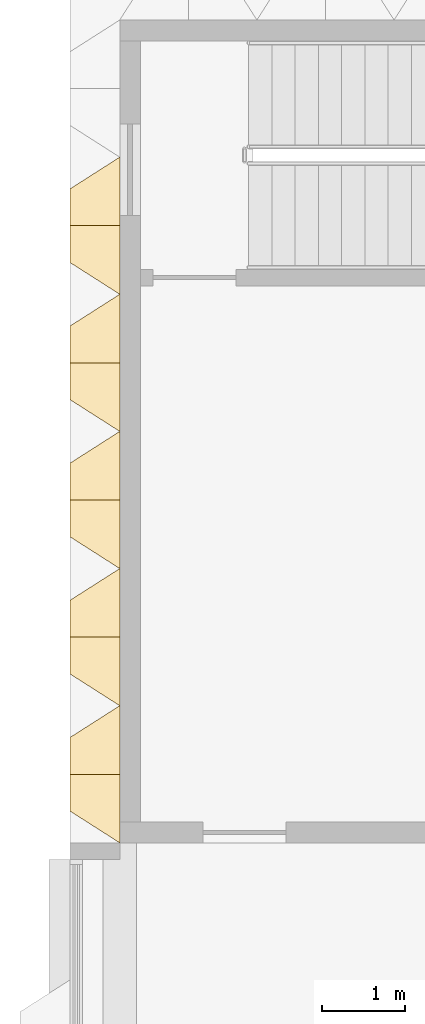
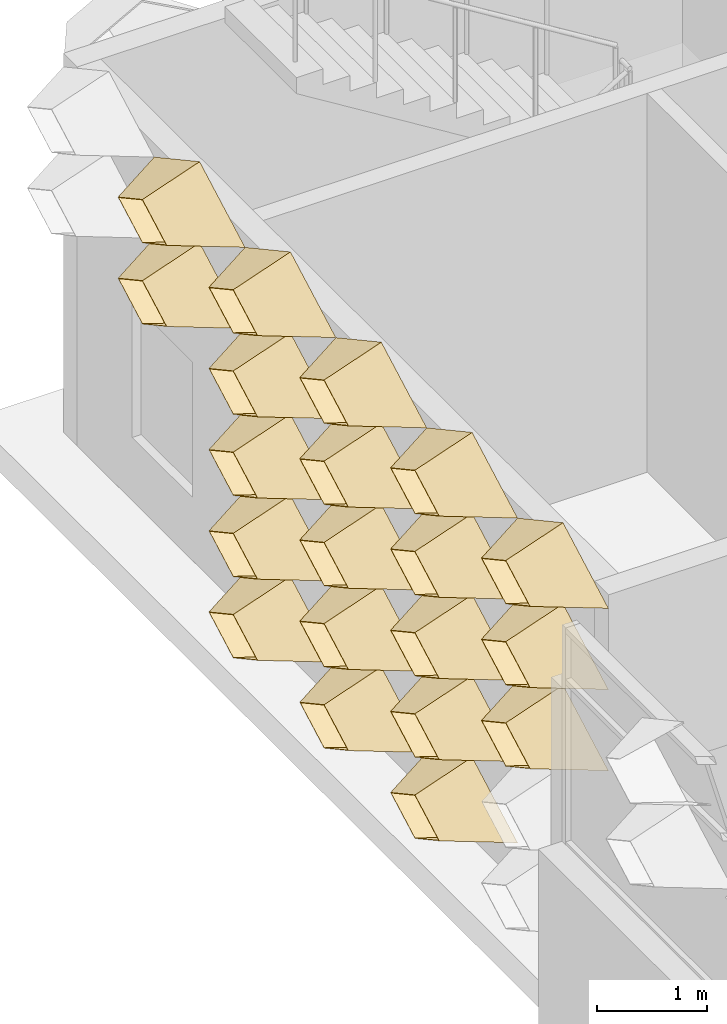
# One storey, part 59 of 102: 20 coverings.
"""IFC4 building model written with IfcOpenShell, lengths in metres."""

from ifc_helpers import new_model, entity, si_unit, direction, frame, origin, place, context, subcontext, project, spatial, material, layer, layer_set, type_object, element, save


model = new_model("IFC4")

# Units and contexts
model_context = context("Model", 3, precision=1e-05, world=origin(), true_north=direction((0.0, 1.0)))
body_context = subcontext(model_context, "Body", "Model", "MODEL_VIEW")
ifc_project = project(units=[si_unit("LENGTHUNIT", "METRE"), si_unit("AREAUNIT", "SQUARE_METRE"), si_unit("VOLUMEUNIT", "CUBIC_METRE"), si_unit("PLANEANGLEUNIT", "RADIAN"), si_unit("MASSUNIT", "GRAM", prefix="KILO")], contexts=[model_context])

# Site, building, storey
site_placement = place(None, origin())
site = spatial("IfcSite", under=ifc_project, at=site_placement, CompositionType="ELEMENT")
building_placement = place(site_placement, origin())
building = spatial("IfcBuilding", under=site, at=building_placement, Name="Lantern Court Research Institute", CompositionType="ELEMENT")
storey_placement = place(building_placement, frame((0.0, 0.0, 9.89990234375)))
storey = spatial("IfcBuildingStorey", under=building, at=storey_placement, Name="L02", CompositionType="ELEMENT", Elevation=9.89990234375)

# Coverings
ifc_material = material(Name="Anodised aluminium", Category="aluminium")
ifc_layer = layer(ifc_material, 0.01611328125)
ifc_layer_set = layer_set([ifc_layer], Name="Anodised aluminium")
covering_type = type_object("IfcCoveringType", Name="Fin cassette 1650 x 900 x 600 aluminium", PredefinedType="CLADDING", material=ifc_layer_set)
covering_1_placement = place(storey_placement, frame((0.0, 15.675048828125, 0.4501953125), z_axis=(-1.0, 0.0, 0.0), x_axis=(0.0, -1.0, 0.0)))
cartesian_point_1 = entity("IfcCartesianPoint", [0.824951171875, 0.0])
cartesian_point_2 = entity("IfcCartesianPoint", [0.79150390625, 0.0])
cartesian_point_3 = entity("IfcCartesianPoint", [0.44189453125, 0.0])
cartesian_point_4 = entity("IfcCartesianPoint", [0.43359375, 0.0])
element("IfcCovering", 1, at=covering_1_placement, inside=storey, type_object=covering_type, Name="Fin cassette V4W-L02 1.10", PredefinedType="CLADDING", context=body_context, shape_type="SweptSolid", body=[
    entity("IfcExtrudedAreaSolidTapered", entity("IfcArbitraryProfileDefWithVoids", "AREA", None, entity("IfcPolyline", [cartesian_point_1, entity("IfcCartesianPoint", [0.0, 0.449951171875]), entity("IfcCartesianPoint", [-0.824951171875, 0.0]), entity("IfcCartesianPoint", [0.0, -0.449951171875]), cartesian_point_1]), [entity("IfcPolyline", [cartesian_point_2, entity("IfcCartesianPoint", [0.0, 0.431884765625]), entity("IfcCartesianPoint", [-0.79150390625, 0.0]), entity("IfcCartesianPoint", [0.0, -0.431884765625]), cartesian_point_2])]), entity("IfcAxis2Placement3D", entity("IfcCartesianPoint", [0.0, 0.0, 0.0])), entity("IfcDirection", [0.0, 0.0, 1.0]), 0.60009765625, entity("IfcArbitraryProfileDefWithVoids", "AREA", None, entity("IfcPolyline", [cartesian_point_3, entity("IfcCartesianPoint", [0.0, 0.240966796875]), entity("IfcCartesianPoint", [-0.44189453125, 0.0]), entity("IfcCartesianPoint", [0.0, -0.240966796875]), cartesian_point_3]), [entity("IfcPolyline", [cartesian_point_4, entity("IfcCartesianPoint", [0.0, 0.236572265625]), entity("IfcCartesianPoint", [-0.43359375, 0.0]), entity("IfcCartesianPoint", [0.0, -0.236572265625]), cartesian_point_4])])),
])
covering_2_placement = place(storey_placement, frame((0.0, 17.324951171875, 0.4501953125), z_axis=(-1.0, 0.0, 0.0), x_axis=(0.0, -1.0, 0.0)))
cartesian_point_5 = entity("IfcCartesianPoint", [0.824951171875, 0.0])
cartesian_point_6 = entity("IfcCartesianPoint", [0.79150390625, 0.0])
cartesian_point_7 = entity("IfcCartesianPoint", [0.44189453125, 0.0])
cartesian_point_8 = entity("IfcCartesianPoint", [0.43359375, 0.0])
element("IfcCovering", 2, at=covering_2_placement, inside=storey, type_object=covering_type, Name="Fin cassette V4W-L02 1.11", PredefinedType="CLADDING", context=body_context, shape_type="SweptSolid", body=[
    entity("IfcExtrudedAreaSolidTapered", entity("IfcArbitraryProfileDefWithVoids", "AREA", None, entity("IfcPolyline", [cartesian_point_5, entity("IfcCartesianPoint", [0.0, 0.449951171875]), entity("IfcCartesianPoint", [-0.824951171875, 0.0]), entity("IfcCartesianPoint", [0.0, -0.449951171875]), cartesian_point_5]), [entity("IfcPolyline", [cartesian_point_6, entity("IfcCartesianPoint", [0.0, 0.431884765625]), entity("IfcCartesianPoint", [-0.79150390625, 0.0]), entity("IfcCartesianPoint", [0.0, -0.431884765625]), cartesian_point_6])]), entity("IfcAxis2Placement3D", entity("IfcCartesianPoint", [0.0, 0.0, 0.0])), entity("IfcDirection", [0.0, 0.0, 1.0]), 0.60009765625, entity("IfcArbitraryProfileDefWithVoids", "AREA", None, entity("IfcPolyline", [cartesian_point_7, entity("IfcCartesianPoint", [0.0, 0.240966796875]), entity("IfcCartesianPoint", [-0.44189453125, 0.0]), entity("IfcCartesianPoint", [0.0, -0.240966796875]), cartesian_point_7]), [entity("IfcPolyline", [cartesian_point_8, entity("IfcCartesianPoint", [0.0, 0.236572265625]), entity("IfcCartesianPoint", [-0.43359375, 0.0]), entity("IfcCartesianPoint", [0.0, -0.236572265625]), cartesian_point_8])])),
])
covering_3_placement = place(storey_placement, frame((0.0, 18.97509765625, 0.4501953125), z_axis=(-1.0, 0.0, 0.0), x_axis=(0.0, -1.0, 0.0)))
cartesian_point_9 = entity("IfcCartesianPoint", [0.824951171875, 0.0])
cartesian_point_10 = entity("IfcCartesianPoint", [0.79150390625, 0.0])
cartesian_point_11 = entity("IfcCartesianPoint", [0.44189453125, 0.0])
cartesian_point_12 = entity("IfcCartesianPoint", [0.43359375, 0.0])
element("IfcCovering", 3, at=covering_3_placement, inside=storey, type_object=covering_type, Name="Fin cassette V4W-L02 1.12", PredefinedType="CLADDING", context=body_context, shape_type="SweptSolid", body=[
    entity("IfcExtrudedAreaSolidTapered", entity("IfcArbitraryProfileDefWithVoids", "AREA", None, entity("IfcPolyline", [cartesian_point_9, entity("IfcCartesianPoint", [0.0, 0.449951171875]), entity("IfcCartesianPoint", [-0.824951171875, 0.0]), entity("IfcCartesianPoint", [0.0, -0.449951171875]), cartesian_point_9]), [entity("IfcPolyline", [cartesian_point_10, entity("IfcCartesianPoint", [0.0, 0.431884765625]), entity("IfcCartesianPoint", [-0.79150390625, 0.0]), entity("IfcCartesianPoint", [0.0, -0.431884765625]), cartesian_point_10])]), entity("IfcAxis2Placement3D", entity("IfcCartesianPoint", [0.0, 0.0, 0.0])), entity("IfcDirection", [0.0, 0.0, 1.0]), 0.60009765625, entity("IfcArbitraryProfileDefWithVoids", "AREA", None, entity("IfcPolyline", [cartesian_point_11, entity("IfcCartesianPoint", [0.0, 0.240966796875]), entity("IfcCartesianPoint", [-0.44189453125, 0.0]), entity("IfcCartesianPoint", [0.0, -0.240966796875]), cartesian_point_11]), [entity("IfcPolyline", [cartesian_point_12, entity("IfcCartesianPoint", [0.0, 0.236572265625]), entity("IfcCartesianPoint", [-0.43359375, 0.0]), entity("IfcCartesianPoint", [0.0, -0.236572265625]), cartesian_point_12])])),
])
covering_4_placement = place(storey_placement, frame((0.0, 15.675048828125, 1.35009765625), z_axis=(-1.0, 0.0, 0.0), x_axis=(0.0, -1.0, 0.0)))
cartesian_point_13 = entity("IfcCartesianPoint", [0.824951171875, 0.0])
cartesian_point_14 = entity("IfcCartesianPoint", [0.79150390625, 0.0])
cartesian_point_15 = entity("IfcCartesianPoint", [0.44189453125, 0.0])
cartesian_point_16 = entity("IfcCartesianPoint", [0.43359375, 0.0])
element("IfcCovering", 4, at=covering_4_placement, inside=storey, type_object=covering_type, Name="Fin cassette V4W-L02 2.10", PredefinedType="CLADDING", context=body_context, shape_type="SweptSolid", body=[
    entity("IfcExtrudedAreaSolidTapered", entity("IfcArbitraryProfileDefWithVoids", "AREA", None, entity("IfcPolyline", [cartesian_point_13, entity("IfcCartesianPoint", [0.0, 0.449951171875]), entity("IfcCartesianPoint", [-0.824951171875, 0.0]), entity("IfcCartesianPoint", [0.0, -0.449951171875]), cartesian_point_13]), [entity("IfcPolyline", [cartesian_point_14, entity("IfcCartesianPoint", [0.0, 0.431884765625]), entity("IfcCartesianPoint", [-0.79150390625, 0.0]), entity("IfcCartesianPoint", [0.0, -0.431884765625]), cartesian_point_14])]), entity("IfcAxis2Placement3D", entity("IfcCartesianPoint", [0.0, 0.0, 0.0])), entity("IfcDirection", [0.0, 0.0, 1.0]), 0.60009765625, entity("IfcArbitraryProfileDefWithVoids", "AREA", None, entity("IfcPolyline", [cartesian_point_15, entity("IfcCartesianPoint", [0.0, 0.240966796875]), entity("IfcCartesianPoint", [-0.44189453125, 0.0]), entity("IfcCartesianPoint", [0.0, -0.240966796875]), cartesian_point_15]), [entity("IfcPolyline", [cartesian_point_16, entity("IfcCartesianPoint", [0.0, 0.236572265625]), entity("IfcCartesianPoint", [-0.43359375, 0.0]), entity("IfcCartesianPoint", [0.0, -0.236572265625]), cartesian_point_16])])),
])
covering_5_placement = place(storey_placement, frame((0.0, 17.324951171875, 1.35009765625), z_axis=(-1.0, 0.0, 0.0), x_axis=(0.0, -1.0, 0.0)))
cartesian_point_17 = entity("IfcCartesianPoint", [0.824951171875, 0.0])
cartesian_point_18 = entity("IfcCartesianPoint", [0.79150390625, 0.0])
cartesian_point_19 = entity("IfcCartesianPoint", [0.44189453125, 0.0])
cartesian_point_20 = entity("IfcCartesianPoint", [0.43359375, 0.0])
element("IfcCovering", 5, at=covering_5_placement, inside=storey, type_object=covering_type, Name="Fin cassette V4W-L02 2.11", PredefinedType="CLADDING", context=body_context, shape_type="SweptSolid", body=[
    entity("IfcExtrudedAreaSolidTapered", entity("IfcArbitraryProfileDefWithVoids", "AREA", None, entity("IfcPolyline", [cartesian_point_17, entity("IfcCartesianPoint", [0.0, 0.449951171875]), entity("IfcCartesianPoint", [-0.824951171875, 0.0]), entity("IfcCartesianPoint", [0.0, -0.449951171875]), cartesian_point_17]), [entity("IfcPolyline", [cartesian_point_18, entity("IfcCartesianPoint", [0.0, 0.431884765625]), entity("IfcCartesianPoint", [-0.79150390625, 0.0]), entity("IfcCartesianPoint", [0.0, -0.431884765625]), cartesian_point_18])]), entity("IfcAxis2Placement3D", entity("IfcCartesianPoint", [0.0, 0.0, 0.0])), entity("IfcDirection", [0.0, 0.0, 1.0]), 0.60009765625, entity("IfcArbitraryProfileDefWithVoids", "AREA", None, entity("IfcPolyline", [cartesian_point_19, entity("IfcCartesianPoint", [0.0, 0.240966796875]), entity("IfcCartesianPoint", [-0.44189453125, 0.0]), entity("IfcCartesianPoint", [0.0, -0.240966796875]), cartesian_point_19]), [entity("IfcPolyline", [cartesian_point_20, entity("IfcCartesianPoint", [0.0, 0.236572265625]), entity("IfcCartesianPoint", [-0.43359375, 0.0]), entity("IfcCartesianPoint", [0.0, -0.236572265625]), cartesian_point_20])])),
])
covering_6_placement = place(storey_placement, frame((0.0, 18.97509765625, 1.35009765625), z_axis=(-1.0, 0.0, 0.0), x_axis=(0.0, -1.0, 0.0)))
cartesian_point_21 = entity("IfcCartesianPoint", [0.824951171875, 0.0])
cartesian_point_22 = entity("IfcCartesianPoint", [0.79150390625, 0.0])
cartesian_point_23 = entity("IfcCartesianPoint", [0.44189453125, 0.0])
cartesian_point_24 = entity("IfcCartesianPoint", [0.43359375, 0.0])
element("IfcCovering", 6, at=covering_6_placement, inside=storey, type_object=covering_type, Name="Fin cassette V4W-L02 2.12", PredefinedType="CLADDING", context=body_context, shape_type="SweptSolid", body=[
    entity("IfcExtrudedAreaSolidTapered", entity("IfcArbitraryProfileDefWithVoids", "AREA", None, entity("IfcPolyline", [cartesian_point_21, entity("IfcCartesianPoint", [0.0, 0.449951171875]), entity("IfcCartesianPoint", [-0.824951171875, 0.0]), entity("IfcCartesianPoint", [0.0, -0.449951171875]), cartesian_point_21]), [entity("IfcPolyline", [cartesian_point_22, entity("IfcCartesianPoint", [0.0, 0.431884765625]), entity("IfcCartesianPoint", [-0.79150390625, 0.0]), entity("IfcCartesianPoint", [0.0, -0.431884765625]), cartesian_point_22])]), entity("IfcAxis2Placement3D", entity("IfcCartesianPoint", [0.0, 0.0, 0.0])), entity("IfcDirection", [0.0, 0.0, 1.0]), 0.60009765625, entity("IfcArbitraryProfileDefWithVoids", "AREA", None, entity("IfcPolyline", [cartesian_point_23, entity("IfcCartesianPoint", [0.0, 0.240966796875]), entity("IfcCartesianPoint", [-0.44189453125, 0.0]), entity("IfcCartesianPoint", [0.0, -0.240966796875]), cartesian_point_23]), [entity("IfcPolyline", [cartesian_point_24, entity("IfcCartesianPoint", [0.0, 0.236572265625]), entity("IfcCartesianPoint", [-0.43359375, 0.0]), entity("IfcCartesianPoint", [0.0, -0.236572265625]), cartesian_point_24])])),
])
covering_7_placement = place(storey_placement, frame((0.0, 14.02490234375, 2.25), z_axis=(-1.0, 0.0, 0.0), x_axis=(0.0, -1.0, 0.0)))
cartesian_point_25 = entity("IfcCartesianPoint", [0.824951171875, 0.0])
cartesian_point_26 = entity("IfcCartesianPoint", [0.79150390625, 0.0])
cartesian_point_27 = entity("IfcCartesianPoint", [0.44189453125, 0.0])
cartesian_point_28 = entity("IfcCartesianPoint", [0.43359375, 0.0])
element("IfcCovering", 7, at=covering_7_placement, inside=storey, type_object=covering_type, Name="Fin cassette V4W-L02 3.9", PredefinedType="CLADDING", context=body_context, shape_type="SweptSolid", body=[
    entity("IfcExtrudedAreaSolidTapered", entity("IfcArbitraryProfileDefWithVoids", "AREA", None, entity("IfcPolyline", [cartesian_point_25, entity("IfcCartesianPoint", [0.0, 0.449951171875]), entity("IfcCartesianPoint", [-0.824951171875, 0.0]), entity("IfcCartesianPoint", [0.0, -0.449951171875]), cartesian_point_25]), [entity("IfcPolyline", [cartesian_point_26, entity("IfcCartesianPoint", [0.0, 0.431884765625]), entity("IfcCartesianPoint", [-0.79150390625, 0.0]), entity("IfcCartesianPoint", [0.0, -0.431884765625]), cartesian_point_26])]), entity("IfcAxis2Placement3D", entity("IfcCartesianPoint", [0.0, 0.0, 0.0])), entity("IfcDirection", [0.0, 0.0, 1.0]), 0.60009765625, entity("IfcArbitraryProfileDefWithVoids", "AREA", None, entity("IfcPolyline", [cartesian_point_27, entity("IfcCartesianPoint", [0.0, 0.240966796875]), entity("IfcCartesianPoint", [-0.44189453125, 0.0]), entity("IfcCartesianPoint", [0.0, -0.240966796875]), cartesian_point_27]), [entity("IfcPolyline", [cartesian_point_28, entity("IfcCartesianPoint", [0.0, 0.236572265625]), entity("IfcCartesianPoint", [-0.43359375, 0.0]), entity("IfcCartesianPoint", [0.0, -0.236572265625]), cartesian_point_28])])),
])
covering_8_placement = place(storey_placement, frame((0.0, 15.675048828125, 2.25), z_axis=(-1.0, 0.0, 0.0), x_axis=(0.0, -1.0, 0.0)))
cartesian_point_29 = entity("IfcCartesianPoint", [0.824951171875, 0.0])
cartesian_point_30 = entity("IfcCartesianPoint", [0.79150390625, 0.0])
cartesian_point_31 = entity("IfcCartesianPoint", [0.44189453125, 0.0])
cartesian_point_32 = entity("IfcCartesianPoint", [0.43359375, 0.0])
element("IfcCovering", 8, at=covering_8_placement, inside=storey, type_object=covering_type, Name="Fin cassette V4W-L02 3.10", PredefinedType="CLADDING", context=body_context, shape_type="SweptSolid", body=[
    entity("IfcExtrudedAreaSolidTapered", entity("IfcArbitraryProfileDefWithVoids", "AREA", None, entity("IfcPolyline", [cartesian_point_29, entity("IfcCartesianPoint", [0.0, 0.449951171875]), entity("IfcCartesianPoint", [-0.824951171875, 0.0]), entity("IfcCartesianPoint", [0.0, -0.449951171875]), cartesian_point_29]), [entity("IfcPolyline", [cartesian_point_30, entity("IfcCartesianPoint", [0.0, 0.431884765625]), entity("IfcCartesianPoint", [-0.79150390625, 0.0]), entity("IfcCartesianPoint", [0.0, -0.431884765625]), cartesian_point_30])]), entity("IfcAxis2Placement3D", entity("IfcCartesianPoint", [0.0, 0.0, 0.0])), entity("IfcDirection", [0.0, 0.0, 1.0]), 0.60009765625, entity("IfcArbitraryProfileDefWithVoids", "AREA", None, entity("IfcPolyline", [cartesian_point_31, entity("IfcCartesianPoint", [0.0, 0.240966796875]), entity("IfcCartesianPoint", [-0.44189453125, 0.0]), entity("IfcCartesianPoint", [0.0, -0.240966796875]), cartesian_point_31]), [entity("IfcPolyline", [cartesian_point_32, entity("IfcCartesianPoint", [0.0, 0.236572265625]), entity("IfcCartesianPoint", [-0.43359375, 0.0]), entity("IfcCartesianPoint", [0.0, -0.236572265625]), cartesian_point_32])])),
])
covering_9_placement = place(storey_placement, frame((0.0, 17.324951171875, 2.25), z_axis=(-1.0, 0.0, 0.0), x_axis=(0.0, -1.0, 0.0)))
cartesian_point_33 = entity("IfcCartesianPoint", [0.824951171875, 0.0])
cartesian_point_34 = entity("IfcCartesianPoint", [0.79150390625, 0.0])
cartesian_point_35 = entity("IfcCartesianPoint", [0.44189453125, 0.0])
cartesian_point_36 = entity("IfcCartesianPoint", [0.43359375, 0.0])
element("IfcCovering", 9, at=covering_9_placement, inside=storey, type_object=covering_type, Name="Fin cassette V4W-L02 3.11", PredefinedType="CLADDING", context=body_context, shape_type="SweptSolid", body=[
    entity("IfcExtrudedAreaSolidTapered", entity("IfcArbitraryProfileDefWithVoids", "AREA", None, entity("IfcPolyline", [cartesian_point_33, entity("IfcCartesianPoint", [0.0, 0.449951171875]), entity("IfcCartesianPoint", [-0.824951171875, 0.0]), entity("IfcCartesianPoint", [0.0, -0.449951171875]), cartesian_point_33]), [entity("IfcPolyline", [cartesian_point_34, entity("IfcCartesianPoint", [0.0, 0.431884765625]), entity("IfcCartesianPoint", [-0.79150390625, 0.0]), entity("IfcCartesianPoint", [0.0, -0.431884765625]), cartesian_point_34])]), entity("IfcAxis2Placement3D", entity("IfcCartesianPoint", [0.0, 0.0, 0.0])), entity("IfcDirection", [0.0, 0.0, 1.0]), 0.60009765625, entity("IfcArbitraryProfileDefWithVoids", "AREA", None, entity("IfcPolyline", [cartesian_point_35, entity("IfcCartesianPoint", [0.0, 0.240966796875]), entity("IfcCartesianPoint", [-0.44189453125, 0.0]), entity("IfcCartesianPoint", [0.0, -0.240966796875]), cartesian_point_35]), [entity("IfcPolyline", [cartesian_point_36, entity("IfcCartesianPoint", [0.0, 0.236572265625]), entity("IfcCartesianPoint", [-0.43359375, 0.0]), entity("IfcCartesianPoint", [0.0, -0.236572265625]), cartesian_point_36])])),
])
covering_10_placement = place(storey_placement, frame((0.0, 18.97509765625, 2.25), z_axis=(-1.0, 0.0, 0.0), x_axis=(0.0, -1.0, 0.0)))
cartesian_point_37 = entity("IfcCartesianPoint", [0.824951171875, 0.0])
cartesian_point_38 = entity("IfcCartesianPoint", [0.79150390625, 0.0])
cartesian_point_39 = entity("IfcCartesianPoint", [0.44189453125, 0.0])
cartesian_point_40 = entity("IfcCartesianPoint", [0.43359375, 0.0])
element("IfcCovering", 10, at=covering_10_placement, inside=storey, type_object=covering_type, Name="Fin cassette V4W-L02 3.12", PredefinedType="CLADDING", context=body_context, shape_type="SweptSolid", body=[
    entity("IfcExtrudedAreaSolidTapered", entity("IfcArbitraryProfileDefWithVoids", "AREA", None, entity("IfcPolyline", [cartesian_point_37, entity("IfcCartesianPoint", [0.0, 0.449951171875]), entity("IfcCartesianPoint", [-0.824951171875, 0.0]), entity("IfcCartesianPoint", [0.0, -0.449951171875]), cartesian_point_37]), [entity("IfcPolyline", [cartesian_point_38, entity("IfcCartesianPoint", [0.0, 0.431884765625]), entity("IfcCartesianPoint", [-0.79150390625, 0.0]), entity("IfcCartesianPoint", [0.0, -0.431884765625]), cartesian_point_38])]), entity("IfcAxis2Placement3D", entity("IfcCartesianPoint", [0.0, 0.0, 0.0])), entity("IfcDirection", [0.0, 0.0, 1.0]), 0.60009765625, entity("IfcArbitraryProfileDefWithVoids", "AREA", None, entity("IfcPolyline", [cartesian_point_39, entity("IfcCartesianPoint", [0.0, 0.240966796875]), entity("IfcCartesianPoint", [-0.44189453125, 0.0]), entity("IfcCartesianPoint", [0.0, -0.240966796875]), cartesian_point_39]), [entity("IfcPolyline", [cartesian_point_40, entity("IfcCartesianPoint", [0.0, 0.236572265625]), entity("IfcCartesianPoint", [-0.43359375, 0.0]), entity("IfcCartesianPoint", [0.0, -0.236572265625]), cartesian_point_40])])),
])
covering_11_placement = place(storey_placement, frame((0.0, 14.02490234375, 3.150146484375), z_axis=(-1.0, 0.0, 0.0), x_axis=(0.0, -1.0, 0.0)))
cartesian_point_41 = entity("IfcCartesianPoint", [0.824951171875, 0.0])
cartesian_point_42 = entity("IfcCartesianPoint", [0.79150390625, 0.0])
cartesian_point_43 = entity("IfcCartesianPoint", [0.44189453125, 0.0])
cartesian_point_44 = entity("IfcCartesianPoint", [0.43359375, 0.0])
element("IfcCovering", 11, at=covering_11_placement, inside=storey, type_object=covering_type, Name="Fin cassette V4W-L02 4.9", PredefinedType="CLADDING", context=body_context, shape_type="SweptSolid", body=[
    entity("IfcExtrudedAreaSolidTapered", entity("IfcArbitraryProfileDefWithVoids", "AREA", None, entity("IfcPolyline", [cartesian_point_41, entity("IfcCartesianPoint", [0.0, 0.449951171875]), entity("IfcCartesianPoint", [-0.824951171875, 0.0]), entity("IfcCartesianPoint", [0.0, -0.449951171875]), cartesian_point_41]), [entity("IfcPolyline", [cartesian_point_42, entity("IfcCartesianPoint", [0.0, 0.431884765625]), entity("IfcCartesianPoint", [-0.79150390625, 0.0]), entity("IfcCartesianPoint", [0.0, -0.431884765625]), cartesian_point_42])]), entity("IfcAxis2Placement3D", entity("IfcCartesianPoint", [0.0, 0.0, 0.0])), entity("IfcDirection", [0.0, 0.0, 1.0]), 0.60009765625, entity("IfcArbitraryProfileDefWithVoids", "AREA", None, entity("IfcPolyline", [cartesian_point_43, entity("IfcCartesianPoint", [0.0, 0.240966796875]), entity("IfcCartesianPoint", [-0.44189453125, 0.0]), entity("IfcCartesianPoint", [0.0, -0.240966796875]), cartesian_point_43]), [entity("IfcPolyline", [cartesian_point_44, entity("IfcCartesianPoint", [0.0, 0.236572265625]), entity("IfcCartesianPoint", [-0.43359375, 0.0]), entity("IfcCartesianPoint", [0.0, -0.236572265625]), cartesian_point_44])])),
])
covering_12_placement = place(storey_placement, frame((0.0, 15.675048828125, 3.150146484375), z_axis=(-1.0, 0.0, 0.0), x_axis=(0.0, -1.0, 0.0)))
cartesian_point_45 = entity("IfcCartesianPoint", [0.824951171875, 0.0])
cartesian_point_46 = entity("IfcCartesianPoint", [0.79150390625, 0.0])
cartesian_point_47 = entity("IfcCartesianPoint", [0.44189453125, 0.0])
cartesian_point_48 = entity("IfcCartesianPoint", [0.43359375, 0.0])
element("IfcCovering", 12, at=covering_12_placement, inside=storey, type_object=covering_type, Name="Fin cassette V4W-L02 4.10", PredefinedType="CLADDING", context=body_context, shape_type="SweptSolid", body=[
    entity("IfcExtrudedAreaSolidTapered", entity("IfcArbitraryProfileDefWithVoids", "AREA", None, entity("IfcPolyline", [cartesian_point_45, entity("IfcCartesianPoint", [0.0, 0.449951171875]), entity("IfcCartesianPoint", [-0.824951171875, 0.0]), entity("IfcCartesianPoint", [0.0, -0.449951171875]), cartesian_point_45]), [entity("IfcPolyline", [cartesian_point_46, entity("IfcCartesianPoint", [0.0, 0.431884765625]), entity("IfcCartesianPoint", [-0.79150390625, 0.0]), entity("IfcCartesianPoint", [0.0, -0.431884765625]), cartesian_point_46])]), entity("IfcAxis2Placement3D", entity("IfcCartesianPoint", [0.0, 0.0, 0.0])), entity("IfcDirection", [0.0, 0.0, 1.0]), 0.60009765625, entity("IfcArbitraryProfileDefWithVoids", "AREA", None, entity("IfcPolyline", [cartesian_point_47, entity("IfcCartesianPoint", [0.0, 0.240966796875]), entity("IfcCartesianPoint", [-0.44189453125, 0.0]), entity("IfcCartesianPoint", [0.0, -0.240966796875]), cartesian_point_47]), [entity("IfcPolyline", [cartesian_point_48, entity("IfcCartesianPoint", [0.0, 0.236572265625]), entity("IfcCartesianPoint", [-0.43359375, 0.0]), entity("IfcCartesianPoint", [0.0, -0.236572265625]), cartesian_point_48])])),
])
covering_13_placement = place(storey_placement, frame((0.0, 17.324951171875, 3.150146484375), z_axis=(-1.0, 0.0, 0.0), x_axis=(0.0, -1.0, 0.0)))
cartesian_point_49 = entity("IfcCartesianPoint", [0.824951171875, 0.0])
cartesian_point_50 = entity("IfcCartesianPoint", [0.79150390625, 0.0])
cartesian_point_51 = entity("IfcCartesianPoint", [0.44189453125, 0.0])
cartesian_point_52 = entity("IfcCartesianPoint", [0.43359375, 0.0])
element("IfcCovering", 13, at=covering_13_placement, inside=storey, type_object=covering_type, Name="Fin cassette V4W-L02 4.11", PredefinedType="CLADDING", context=body_context, shape_type="SweptSolid", body=[
    entity("IfcExtrudedAreaSolidTapered", entity("IfcArbitraryProfileDefWithVoids", "AREA", None, entity("IfcPolyline", [cartesian_point_49, entity("IfcCartesianPoint", [0.0, 0.449951171875]), entity("IfcCartesianPoint", [-0.824951171875, 0.0]), entity("IfcCartesianPoint", [0.0, -0.449951171875]), cartesian_point_49]), [entity("IfcPolyline", [cartesian_point_50, entity("IfcCartesianPoint", [0.0, 0.431884765625]), entity("IfcCartesianPoint", [-0.79150390625, 0.0]), entity("IfcCartesianPoint", [0.0, -0.431884765625]), cartesian_point_50])]), entity("IfcAxis2Placement3D", entity("IfcCartesianPoint", [0.0, 0.0, 0.0])), entity("IfcDirection", [0.0, 0.0, 1.0]), 0.60009765625, entity("IfcArbitraryProfileDefWithVoids", "AREA", None, entity("IfcPolyline", [cartesian_point_51, entity("IfcCartesianPoint", [0.0, 0.240966796875]), entity("IfcCartesianPoint", [-0.44189453125, 0.0]), entity("IfcCartesianPoint", [0.0, -0.240966796875]), cartesian_point_51]), [entity("IfcPolyline", [cartesian_point_52, entity("IfcCartesianPoint", [0.0, 0.236572265625]), entity("IfcCartesianPoint", [-0.43359375, 0.0]), entity("IfcCartesianPoint", [0.0, -0.236572265625]), cartesian_point_52])])),
])
covering_14_placement = place(storey_placement, frame((0.0, 18.97509765625, 3.150146484375), z_axis=(-1.0, 0.0, 0.0), x_axis=(0.0, -1.0, 0.0)))
cartesian_point_53 = entity("IfcCartesianPoint", [0.824951171875, 0.0])
cartesian_point_54 = entity("IfcCartesianPoint", [0.79150390625, 0.0])
cartesian_point_55 = entity("IfcCartesianPoint", [0.44189453125, 0.0])
cartesian_point_56 = entity("IfcCartesianPoint", [0.43359375, 0.0])
element("IfcCovering", 14, at=covering_14_placement, inside=storey, type_object=covering_type, Name="Fin cassette V4W-L02 4.12", PredefinedType="CLADDING", context=body_context, shape_type="SweptSolid", body=[
    entity("IfcExtrudedAreaSolidTapered", entity("IfcArbitraryProfileDefWithVoids", "AREA", None, entity("IfcPolyline", [cartesian_point_53, entity("IfcCartesianPoint", [0.0, 0.449951171875]), entity("IfcCartesianPoint", [-0.824951171875, 0.0]), entity("IfcCartesianPoint", [0.0, -0.449951171875]), cartesian_point_53]), [entity("IfcPolyline", [cartesian_point_54, entity("IfcCartesianPoint", [0.0, 0.431884765625]), entity("IfcCartesianPoint", [-0.79150390625, 0.0]), entity("IfcCartesianPoint", [0.0, -0.431884765625]), cartesian_point_54])]), entity("IfcAxis2Placement3D", entity("IfcCartesianPoint", [0.0, 0.0, 0.0])), entity("IfcDirection", [0.0, 0.0, 1.0]), 0.60009765625, entity("IfcArbitraryProfileDefWithVoids", "AREA", None, entity("IfcPolyline", [cartesian_point_55, entity("IfcCartesianPoint", [0.0, 0.240966796875]), entity("IfcCartesianPoint", [-0.44189453125, 0.0]), entity("IfcCartesianPoint", [0.0, -0.240966796875]), cartesian_point_55]), [entity("IfcPolyline", [cartesian_point_56, entity("IfcCartesianPoint", [0.0, 0.236572265625]), entity("IfcCartesianPoint", [-0.43359375, 0.0]), entity("IfcCartesianPoint", [0.0, -0.236572265625]), cartesian_point_56])])),
])
covering_15_placement = place(storey_placement, frame((0.0, 20.625, 3.150146484375), z_axis=(-1.0, 0.0, 0.0), x_axis=(0.0, -1.0, 0.0)))
cartesian_point_57 = entity("IfcCartesianPoint", [0.824951171875, 0.0])
cartesian_point_58 = entity("IfcCartesianPoint", [0.79150390625, 0.0])
cartesian_point_59 = entity("IfcCartesianPoint", [0.44189453125, 0.0])
cartesian_point_60 = entity("IfcCartesianPoint", [0.43359375, 0.0])
element("IfcCovering", 15, at=covering_15_placement, inside=storey, type_object=covering_type, Name="Fin cassette V4W-L02 4.13", PredefinedType="CLADDING", context=body_context, shape_type="SweptSolid", body=[
    entity("IfcExtrudedAreaSolidTapered", entity("IfcArbitraryProfileDefWithVoids", "AREA", None, entity("IfcPolyline", [cartesian_point_57, entity("IfcCartesianPoint", [0.0, 0.449951171875]), entity("IfcCartesianPoint", [-0.824951171875, 0.0]), entity("IfcCartesianPoint", [0.0, -0.449951171875]), cartesian_point_57]), [entity("IfcPolyline", [cartesian_point_58, entity("IfcCartesianPoint", [0.0, 0.431884765625]), entity("IfcCartesianPoint", [-0.79150390625, 0.0]), entity("IfcCartesianPoint", [0.0, -0.431884765625]), cartesian_point_58])]), entity("IfcAxis2Placement3D", entity("IfcCartesianPoint", [0.0, 0.0, 0.0])), entity("IfcDirection", [0.0, 0.0, 1.0]), 0.60009765625, entity("IfcArbitraryProfileDefWithVoids", "AREA", None, entity("IfcPolyline", [cartesian_point_59, entity("IfcCartesianPoint", [0.0, 0.240966796875]), entity("IfcCartesianPoint", [-0.44189453125, 0.0]), entity("IfcCartesianPoint", [0.0, -0.240966796875]), cartesian_point_59]), [entity("IfcPolyline", [cartesian_point_60, entity("IfcCartesianPoint", [0.0, 0.236572265625]), entity("IfcCartesianPoint", [-0.43359375, 0.0]), entity("IfcCartesianPoint", [0.0, -0.236572265625]), cartesian_point_60])])),
])
covering_16_placement = place(storey_placement, frame((0.0, 14.02490234375, 4.050048828125), z_axis=(-1.0, 0.0, 0.0), x_axis=(0.0, -1.0, 0.0)))
cartesian_point_61 = entity("IfcCartesianPoint", [0.824951171875, 0.0])
cartesian_point_62 = entity("IfcCartesianPoint", [0.79150390625, 0.0])
cartesian_point_63 = entity("IfcCartesianPoint", [0.44189453125, 0.0])
cartesian_point_64 = entity("IfcCartesianPoint", [0.43359375, 0.0])
element("IfcCovering", 16, at=covering_16_placement, inside=storey, type_object=covering_type, Name="Fin cassette V4W-L02 5.9", PredefinedType="CLADDING", context=body_context, shape_type="SweptSolid", body=[
    entity("IfcExtrudedAreaSolidTapered", entity("IfcArbitraryProfileDefWithVoids", "AREA", None, entity("IfcPolyline", [cartesian_point_61, entity("IfcCartesianPoint", [0.0, 0.449951171875]), entity("IfcCartesianPoint", [-0.824951171875, 0.0]), entity("IfcCartesianPoint", [0.0, -0.449951171875]), cartesian_point_61]), [entity("IfcPolyline", [cartesian_point_62, entity("IfcCartesianPoint", [0.0, 0.431884765625]), entity("IfcCartesianPoint", [-0.79150390625, 0.0]), entity("IfcCartesianPoint", [0.0, -0.431884765625]), cartesian_point_62])]), entity("IfcAxis2Placement3D", entity("IfcCartesianPoint", [0.0, 0.0, 0.0])), entity("IfcDirection", [0.0, 0.0, 1.0]), 0.60009765625, entity("IfcArbitraryProfileDefWithVoids", "AREA", None, entity("IfcPolyline", [cartesian_point_63, entity("IfcCartesianPoint", [0.0, 0.240966796875]), entity("IfcCartesianPoint", [-0.44189453125, 0.0]), entity("IfcCartesianPoint", [0.0, -0.240966796875]), cartesian_point_63]), [entity("IfcPolyline", [cartesian_point_64, entity("IfcCartesianPoint", [0.0, 0.236572265625]), entity("IfcCartesianPoint", [-0.43359375, 0.0]), entity("IfcCartesianPoint", [0.0, -0.236572265625]), cartesian_point_64])])),
])
covering_17_placement = place(storey_placement, frame((0.0, 15.675048828125, 4.050048828125), z_axis=(-1.0, 0.0, 0.0), x_axis=(0.0, -1.0, 0.0)))
cartesian_point_65 = entity("IfcCartesianPoint", [0.824951171875, 0.0])
cartesian_point_66 = entity("IfcCartesianPoint", [0.79150390625, 0.0])
cartesian_point_67 = entity("IfcCartesianPoint", [0.44189453125, 0.0])
cartesian_point_68 = entity("IfcCartesianPoint", [0.43359375, 0.0])
element("IfcCovering", 17, at=covering_17_placement, inside=storey, type_object=covering_type, Name="Fin cassette V4W-L02 5.10", PredefinedType="CLADDING", context=body_context, shape_type="SweptSolid", body=[
    entity("IfcExtrudedAreaSolidTapered", entity("IfcArbitraryProfileDefWithVoids", "AREA", None, entity("IfcPolyline", [cartesian_point_65, entity("IfcCartesianPoint", [0.0, 0.449951171875]), entity("IfcCartesianPoint", [-0.824951171875, 0.0]), entity("IfcCartesianPoint", [0.0, -0.449951171875]), cartesian_point_65]), [entity("IfcPolyline", [cartesian_point_66, entity("IfcCartesianPoint", [0.0, 0.431884765625]), entity("IfcCartesianPoint", [-0.79150390625, 0.0]), entity("IfcCartesianPoint", [0.0, -0.431884765625]), cartesian_point_66])]), entity("IfcAxis2Placement3D", entity("IfcCartesianPoint", [0.0, 0.0, 0.0])), entity("IfcDirection", [0.0, 0.0, 1.0]), 0.60009765625, entity("IfcArbitraryProfileDefWithVoids", "AREA", None, entity("IfcPolyline", [cartesian_point_67, entity("IfcCartesianPoint", [0.0, 0.240966796875]), entity("IfcCartesianPoint", [-0.44189453125, 0.0]), entity("IfcCartesianPoint", [0.0, -0.240966796875]), cartesian_point_67]), [entity("IfcPolyline", [cartesian_point_68, entity("IfcCartesianPoint", [0.0, 0.236572265625]), entity("IfcCartesianPoint", [-0.43359375, 0.0]), entity("IfcCartesianPoint", [0.0, -0.236572265625]), cartesian_point_68])])),
])
covering_18_placement = place(storey_placement, frame((0.0, 17.324951171875, 4.050048828125), z_axis=(-1.0, 0.0, 0.0), x_axis=(0.0, -1.0, 0.0)))
cartesian_point_69 = entity("IfcCartesianPoint", [0.824951171875, 0.0])
cartesian_point_70 = entity("IfcCartesianPoint", [0.79150390625, 0.0])
cartesian_point_71 = entity("IfcCartesianPoint", [0.44189453125, 0.0])
cartesian_point_72 = entity("IfcCartesianPoint", [0.43359375, 0.0])
element("IfcCovering", 18, at=covering_18_placement, inside=storey, type_object=covering_type, Name="Fin cassette V4W-L02 5.11", PredefinedType="CLADDING", context=body_context, shape_type="SweptSolid", body=[
    entity("IfcExtrudedAreaSolidTapered", entity("IfcArbitraryProfileDefWithVoids", "AREA", None, entity("IfcPolyline", [cartesian_point_69, entity("IfcCartesianPoint", [0.0, 0.449951171875]), entity("IfcCartesianPoint", [-0.824951171875, 0.0]), entity("IfcCartesianPoint", [0.0, -0.449951171875]), cartesian_point_69]), [entity("IfcPolyline", [cartesian_point_70, entity("IfcCartesianPoint", [0.0, 0.431884765625]), entity("IfcCartesianPoint", [-0.79150390625, 0.0]), entity("IfcCartesianPoint", [0.0, -0.431884765625]), cartesian_point_70])]), entity("IfcAxis2Placement3D", entity("IfcCartesianPoint", [0.0, 0.0, 0.0])), entity("IfcDirection", [0.0, 0.0, 1.0]), 0.60009765625, entity("IfcArbitraryProfileDefWithVoids", "AREA", None, entity("IfcPolyline", [cartesian_point_71, entity("IfcCartesianPoint", [0.0, 0.240966796875]), entity("IfcCartesianPoint", [-0.44189453125, 0.0]), entity("IfcCartesianPoint", [0.0, -0.240966796875]), cartesian_point_71]), [entity("IfcPolyline", [cartesian_point_72, entity("IfcCartesianPoint", [0.0, 0.236572265625]), entity("IfcCartesianPoint", [-0.43359375, 0.0]), entity("IfcCartesianPoint", [0.0, -0.236572265625]), cartesian_point_72])])),
])
covering_19_placement = place(storey_placement, frame((0.0, 18.97509765625, 4.050048828125), z_axis=(-1.0, 0.0, 0.0), x_axis=(0.0, -1.0, 0.0)))
cartesian_point_73 = entity("IfcCartesianPoint", [0.824951171875, 0.0])
cartesian_point_74 = entity("IfcCartesianPoint", [0.79150390625, 0.0])
cartesian_point_75 = entity("IfcCartesianPoint", [0.44189453125, 0.0])
cartesian_point_76 = entity("IfcCartesianPoint", [0.43359375, 0.0])
element("IfcCovering", 19, at=covering_19_placement, inside=storey, type_object=covering_type, Name="Fin cassette V4W-L02 5.12", PredefinedType="CLADDING", context=body_context, shape_type="SweptSolid", body=[
    entity("IfcExtrudedAreaSolidTapered", entity("IfcArbitraryProfileDefWithVoids", "AREA", None, entity("IfcPolyline", [cartesian_point_73, entity("IfcCartesianPoint", [0.0, 0.449951171875]), entity("IfcCartesianPoint", [-0.824951171875, 0.0]), entity("IfcCartesianPoint", [0.0, -0.449951171875]), cartesian_point_73]), [entity("IfcPolyline", [cartesian_point_74, entity("IfcCartesianPoint", [0.0, 0.431884765625]), entity("IfcCartesianPoint", [-0.79150390625, 0.0]), entity("IfcCartesianPoint", [0.0, -0.431884765625]), cartesian_point_74])]), entity("IfcAxis2Placement3D", entity("IfcCartesianPoint", [0.0, 0.0, 0.0])), entity("IfcDirection", [0.0, 0.0, 1.0]), 0.60009765625, entity("IfcArbitraryProfileDefWithVoids", "AREA", None, entity("IfcPolyline", [cartesian_point_75, entity("IfcCartesianPoint", [0.0, 0.240966796875]), entity("IfcCartesianPoint", [-0.44189453125, 0.0]), entity("IfcCartesianPoint", [0.0, -0.240966796875]), cartesian_point_75]), [entity("IfcPolyline", [cartesian_point_76, entity("IfcCartesianPoint", [0.0, 0.236572265625]), entity("IfcCartesianPoint", [-0.43359375, 0.0]), entity("IfcCartesianPoint", [0.0, -0.236572265625]), cartesian_point_76])])),
])
covering_20_placement = place(storey_placement, frame((0.0, 20.625, 4.050048828125), z_axis=(-1.0, 0.0, 0.0), x_axis=(0.0, -1.0, 0.0)))
cartesian_point_77 = entity("IfcCartesianPoint", [0.824951171875, 0.0])
cartesian_point_78 = entity("IfcCartesianPoint", [0.79150390625, 0.0])
cartesian_point_79 = entity("IfcCartesianPoint", [0.44189453125, 0.0])
cartesian_point_80 = entity("IfcCartesianPoint", [0.43359375, 0.0])
element("IfcCovering", 20, at=covering_20_placement, inside=storey, type_object=covering_type, Name="Fin cassette V4W-L02 5.13", PredefinedType="CLADDING", context=body_context, shape_type="SweptSolid", body=[
    entity("IfcExtrudedAreaSolidTapered", entity("IfcArbitraryProfileDefWithVoids", "AREA", None, entity("IfcPolyline", [cartesian_point_77, entity("IfcCartesianPoint", [0.0, 0.449951171875]), entity("IfcCartesianPoint", [-0.824951171875, 0.0]), entity("IfcCartesianPoint", [0.0, -0.449951171875]), cartesian_point_77]), [entity("IfcPolyline", [cartesian_point_78, entity("IfcCartesianPoint", [0.0, 0.431884765625]), entity("IfcCartesianPoint", [-0.79150390625, 0.0]), entity("IfcCartesianPoint", [0.0, -0.431884765625]), cartesian_point_78])]), entity("IfcAxis2Placement3D", entity("IfcCartesianPoint", [0.0, 0.0, 0.0])), entity("IfcDirection", [0.0, 0.0, 1.0]), 0.60009765625, entity("IfcArbitraryProfileDefWithVoids", "AREA", None, entity("IfcPolyline", [cartesian_point_79, entity("IfcCartesianPoint", [0.0, 0.240966796875]), entity("IfcCartesianPoint", [-0.44189453125, 0.0]), entity("IfcCartesianPoint", [0.0, -0.240966796875]), cartesian_point_79]), [entity("IfcPolyline", [cartesian_point_80, entity("IfcCartesianPoint", [0.0, 0.236572265625]), entity("IfcCartesianPoint", [-0.43359375, 0.0]), entity("IfcCartesianPoint", [0.0, -0.236572265625]), cartesian_point_80])])),
])

save(model, "model.ifc")
